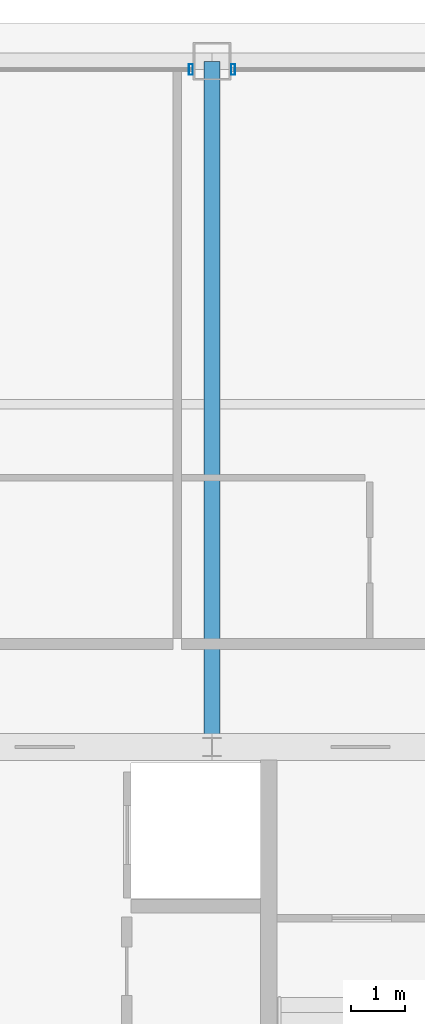
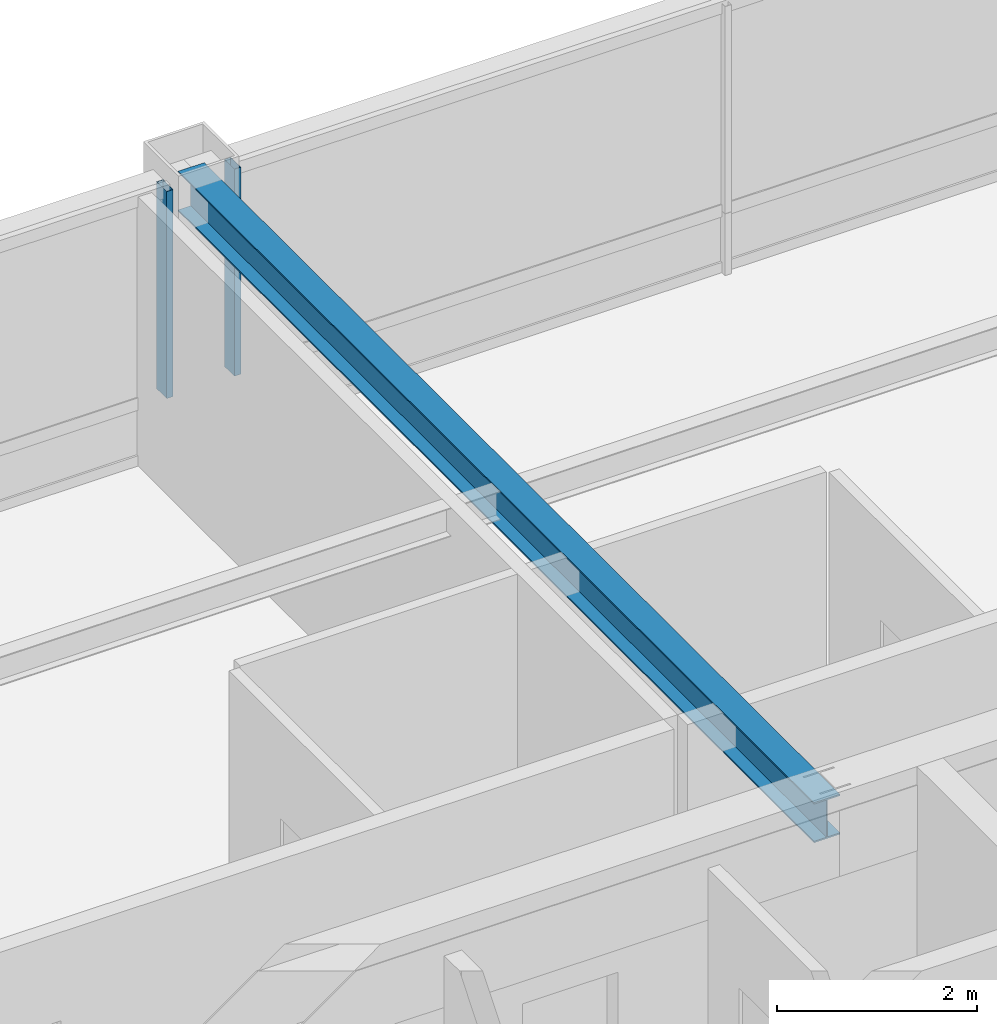
# One storey, part 16 of 33: 2 members, 1 beam, 2 elements without a shape of their own.
"""IFC4 building model written with IfcOpenShell, lengths in metres."""

import ifcopenshell
import ifcopenshell.guid

model = None  # the IFC model being written
_history = None  # IfcOwnerHistory: only IFC2X3 demands one
_inside = {}  # id of a spatial element -> (the spatial element, [elements in it])
_under = {}  # id of a project, library or spatial element -> (it, [spatial elements below it])
_declared = {}  # id of a project -> (the project, [libraries it declares])
_typed = {}  # id of a type object -> (the type object, [elements of that type])
_made_of = {}  # id of a material, layer set ... -> (it, [elements and type objects made of it])


def new_model(schema):
    """Start an empty IFC model of exactly this schema.

    Asked for "IFC4X3", IfcOpenShell would pick the latest addendum, in which some entities
    have other attributes; the version numbers below select the first issue.
    IFC2X3 requires an IfcOwnerHistory on every rooted entity: one is made here for all.
    """
    global model, _history
    if schema == "IFC4X3":
        model = ifcopenshell.file(schema_version=(4, 3, 0, 0))
    else:
        model = ifcopenshell.file(schema=schema)
    _inside.clear()
    _under.clear()
    _declared.clear()
    _typed.clear()
    _made_of.clear()
    _history = None
    if model.schema == "IFC2X3":
        org = make("IfcOrganization", Name="unknown")
        user = make(
            "IfcPersonAndOrganization",
            ThePerson=make("IfcPerson", FamilyName="unknown"),
            TheOrganization=org,
        )
        app = make(
            "IfcApplication",
            ApplicationDeveloper=org,
            Version="unknown",
            ApplicationFullName="unknown",
            ApplicationIdentifier="unknown",
        )
        _history = make(
            "IfcOwnerHistory",
            OwningUser=user,
            OwningApplication=app,
            ChangeAction="ADDED",
            CreationDate=0,
        )
    return model


def make(cls, **values):
    """One entity of the class cls with the attributes given. An attribute that is None is left unset."""
    return model.create_entity(
        cls, **{name: value for name, value in values.items() if value is not None}
    )


def rooted(cls, **values):
    """An entity with a GlobalId (a new one), such as an element, a storey or a relation."""
    return make(cls, GlobalId=ifcopenshell.guid.new(), OwnerHistory=_history, **values)


def si_unit(unit_type, name, prefix=None):
    """IfcSIUnit, for example si_unit("LENGTHUNIT", "METRE", prefix="MILLI")."""
    return make("IfcSIUnit", UnitType=unit_type, Prefix=prefix, Name=name)


def assignment(units):
    """IfcUnitAssignment: the units of a project."""
    return None if units is None else make("IfcUnitAssignment", Units=units)


def point(xyz):
    """IfcCartesianPoint."""
    return None if xyz is None else make("IfcCartesianPoint", Coordinates=xyz)


def direction(xyz):
    """IfcDirection."""
    return None if xyz is None else make("IfcDirection", DirectionRatios=xyz)


def frame(location, z_axis=None, x_axis=None):
    """IfcAxis2Placement3D, a coordinate frame: its origin and axes. An axis left out is left unset."""
    return make(
        "IfcAxis2Placement3D",
        Location=point(location),
        Axis=direction(z_axis),
        RefDirection=direction(x_axis),
    )


def frame_2d(location, x_axis=None):
    """IfcAxis2Placement2D, a coordinate frame in the plane: its origin and x axis."""
    return make(
        "IfcAxis2Placement2D", Location=point(location), RefDirection=direction(x_axis)
    )


def origin():
    """The frame at (0, 0, 0) with its axes left unset."""
    return frame((0.0, 0.0, 0.0))


def origin_2d():
    """The frame at (0, 0) in the plane with its x axis left unset."""
    return frame_2d((0.0, 0.0))


def place(relative_to, where):
    """IfcLocalPlacement: puts the frame where relative to a parent placement (None: the world)."""
    return make(
        "IfcLocalPlacement", PlacementRelTo=relative_to, RelativePlacement=where
    )


def context(
    kind, dimensions, precision=None, world=None, true_north=None, identifier=None
):
    """IfcGeometricRepresentationContext, for example the 3D "Model" context."""
    return make(
        "IfcGeometricRepresentationContext",
        ContextIdentifier=identifier,
        ContextType=kind,
        CoordinateSpaceDimension=dimensions,
        Precision=precision,
        WorldCoordinateSystem=world,
        TrueNorth=true_north,
    )


def subcontext(parent, identifier, kind, view, scale=None):
    """IfcGeometricRepresentationSubContext, for example "Body" below "Model"."""
    return make(
        "IfcGeometricRepresentationSubContext",
        ContextIdentifier=identifier,
        ContextType=kind,
        ParentContext=parent,
        TargetScale=scale,
        TargetView=view,
    )


def project(units=None, contexts=None):
    """IfcProject with its units and contexts."""
    return rooted(
        "IfcProject",
        Name="project",
        RepresentationContexts=contexts,
        UnitsInContext=assignment(units),
    )


def spatial(cls, under=None, at=None, **own):
    """A site, building, storey or space (cls), placed at a placement, below another one or the project."""
    s = rooted(cls, ObjectPlacement=at, **own)
    if under is not None:
        _under.setdefault(under.id(), (under, []))[1].append(s)
    return s


def profile(cls, at=None, kind="AREA", **sizes):
    """A parametric profile (cls). Its sizes go by their IFC names, for example OverallWidth=200.0."""
    return make(cls, ProfileType=kind, Position=at, **sizes)


def hollow_rectangle(**sizes):
    """IfcRectangleHollowProfileDef."""
    return profile("IfcRectangleHollowProfileDef", **sizes)


def i_section(**sizes):
    """IfcIShapeProfileDef."""
    return profile("IfcIShapeProfileDef", **sizes)


def extrude(swept, where, along, depth):
    """IfcExtrudedAreaSolid: the profile swept, set in the frame where, extruded along a direction by depth."""
    return make(
        "IfcExtrudedAreaSolid",
        SweptArea=swept,
        Position=where,
        ExtrudedDirection=direction(along),
        Depth=depth,
    )


def shape(context_of_items, identifier, shape_type, items):
    """IfcShapeRepresentation: the items that make up one representation, for example the "Body"."""
    return make(
        "IfcShapeRepresentation",
        ContextOfItems=context_of_items,
        RepresentationIdentifier=identifier,
        RepresentationType=shape_type,
        Items=items,
    )


def source(mapping_origin, context_of_items, identifier, shape_type, items):
    """IfcRepresentationMap: a shape defined once, which mapped items show again and again."""
    return make(
        "IfcRepresentationMap",
        MappingOrigin=mapping_origin,
        MappedRepresentation=shape(context_of_items, identifier, shape_type, items),
    )


def transform(
    local_origin,
    x_axis=None,
    y_axis=None,
    z_axis=None,
    scale=None,
    scale2=None,
    scale3=None,
    uniform=True,
):
    """IfcCartesianTransformationOperator3D, or its non-uniform kind. x_axis, y_axis, z_axis: its Axis1, 2, 3."""
    if uniform:
        return make(
            "IfcCartesianTransformationOperator3D",
            Axis1=direction(x_axis),
            Axis2=direction(y_axis),
            LocalOrigin=point(local_origin),
            Scale=scale,
            Axis3=direction(z_axis),
        )
    return make(
        "IfcCartesianTransformationOperator3DnonUniform",
        Axis1=direction(x_axis),
        Axis2=direction(y_axis),
        LocalOrigin=point(local_origin),
        Scale=scale,
        Axis3=direction(z_axis),
        Scale2=scale2,
        Scale3=scale3,
    )


def mapped(mapping_source, mapping_target):
    """IfcMappedItem: shows the shape of a source again, moved by a transform."""
    return make(
        "IfcMappedItem", MappingSource=mapping_source, MappingTarget=mapping_target
    )


def material(Name=None, Category=None):
    """IfcMaterial."""
    return make("IfcMaterial", Name=Name, Category=Category)


def layer(
    of_material, thickness, ventilated=None, Name=None, Category=None, Priority=None
):
    """IfcMaterialLayer: one layer of a wall or slab, of a material (None: an air gap)."""
    return make(
        "IfcMaterialLayer",
        Material=of_material,
        LayerThickness=thickness,
        IsVentilated=ventilated,
        Name=Name,
        Category=Category,
        Priority=Priority,
    )


def layer_set(layers, Name=None):
    """IfcMaterialLayerSet."""
    return make("IfcMaterialLayerSet", MaterialLayers=layers, LayerSetName=Name)


def material_profile(
    of_material, cross_section, Name=None, Category=None, Priority=None
):
    """IfcMaterialProfile: a cross section and its material."""
    return make(
        "IfcMaterialProfile",
        Name=Name,
        Material=of_material,
        Profile=cross_section,
        Priority=Priority,
        Category=Category,
    )


def profile_set(profiles, Name=None, composite=None):
    """IfcMaterialProfileSet."""
    return make(
        "IfcMaterialProfileSet",
        Name=Name,
        MaterialProfiles=profiles,
        CompositeProfile=composite,
    )


def made_of(thing, what):
    """Note that an element or type object is made of a material, layer set ...; save() writes the relation."""
    if what is not None:
        _made_of.setdefault(what.id(), (what, []))[1].append(thing)
    return thing


def type_object(cls, material=None, **own):
    """A type object (cls), such as IfcWallType, which elements share."""
    return made_of(rooted(cls, **own), material)


def element(
    cls,
    number,
    at=None,
    inside=None,
    cuts=None,
    type_object=None,
    material=None,
    context=None,
    identifier="Body",
    shape_type=None,
    held_by="IfcProductDefinitionShape",
    body=None,
    shapes=None,
    **own,
):
    """One element of the class cls, such as IfcWall. Its Tag is "e" and its number.

    at: its placement. inside: the storey or other place that contains it. cuts: it is an
    opening in that element (IfcRelVoidsElement). A single representation is given by context,
    identifier, shape_type and body (its items); several are given by shapes. held_by: the class
    of the entity that holds the representations. save() writes the other relations.
    """
    e = rooted(cls, Tag="e%d" % number, ObjectPlacement=at, **own)
    if body is not None:
        shapes = [shape(context, identifier, shape_type, body)]
    if shapes is not None:
        e.Representation = make(held_by, Representations=shapes)
    if inside is not None:
        _inside.setdefault(inside.id(), (inside, []))[1].append(e)
    if cuts is not None:
        rooted(
            "IfcRelVoidsElement", RelatingBuildingElement=cuts, RelatedOpeningElement=e
        )
    if type_object is not None:
        _typed.setdefault(type_object.id(), (type_object, []))[1].append(e)
    return made_of(e, material)


def aggregate(whole, parts):
    """IfcRelAggregates: a whole, such as a stair, and the parts it consists of."""
    return rooted("IfcRelAggregates", RelatingObject=whole, RelatedObjects=parts)


def save(model, path):
    """Write the relations noted so far, then the file.

    IfcRelAggregates (storeys below a building ...), IfcRelContainedInSpatialStructure (elements
    in a storey), IfcRelDefinesByType, IfcRelAssociatesMaterial and IfcRelDeclares: one each for
    every whole, place, type object, material and project.
    """
    for whole, parts in _under.values():
        aggregate(whole, parts)
    for where, things in _inside.values():
        rooted(
            "IfcRelContainedInSpatialStructure",
            RelatedElements=things,
            RelatingStructure=where,
        )
    for kind, things in _typed.values():
        rooted("IfcRelDefinesByType", RelatedObjects=things, RelatingType=kind)
    for what, things in _made_of.values():
        rooted("IfcRelAssociatesMaterial", RelatedObjects=things, RelatingMaterial=what)
    for by, libraries in _declared.values():
        rooted("IfcRelDeclares", RelatingContext=by, RelatedDefinitions=libraries)
    model.write(path)


model = new_model("IFC4")

# Units and contexts
model_context = context("Model", 3, precision=1e-05, world=origin(), true_north=direction((0.0, 1.0)))
body_context = subcontext(model_context, "Body", "Model", "MODEL_VIEW")
ifc_project = project(units=[si_unit("LENGTHUNIT", "METRE"), si_unit("AREAUNIT", "SQUARE_METRE"), si_unit("VOLUMEUNIT", "CUBIC_METRE"), si_unit("PLANEANGLEUNIT", "RADIAN"), si_unit("MASSUNIT", "GRAM", prefix="KILO"), si_unit("THERMODYNAMICTEMPERATUREUNIT", "KELVIN"), si_unit("POWERUNIT", "WATT")], contexts=[model_context])

# Site, building, storey
site_placement = place(None, origin())
site = spatial("IfcSite", under=ifc_project, at=site_placement, CompositionType="ELEMENT")
building_placement = place(site_placement, origin())
building = spatial("IfcBuilding", under=site, at=building_placement, Name="Yuzanri Waterfront Tower", CompositionType="ELEMENT")
storey_placement = place(building_placement, frame((0.0, 0.0, 321.699951171875)))
storey = spatial("IfcBuildingStorey", under=building, at=storey_placement, Name="L86", CompositionType="ELEMENT", Elevation=321.699951171875)

# Beam
ifc_material_1 = material(Name="Steel Q355B", Category="steel")
ifc_material_profile_1 = material_profile(ifc_material_1, i_section(OverallWidth=0.300048828125, OverallDepth=0.488037109375, WebThickness=0.010986328125, FlangeThickness=0.01806640625, at=origin_2d()), Name="HM 488x300x11x18")
ifc_profile_set_1 = profile_set([ifc_material_profile_1], Name="Steel Q355B")
beam_type = type_object("IfcBeamType", Name="Primary Floor Girder Q355B HM 488x300", PredefinedType="BEAM", material=ifc_profile_set_1)
shared_shape_1 = source(origin(), body_context, "Body", "SweptSolid", [
    extrude(i_section(OverallWidth=0.300048828125, OverallDepth=0.488037109375, WebThickness=0.010986328125, FlangeThickness=0.01806640625, at=origin_2d()), origin(), (0.0, 0.0, 1.0), 12.699951171875),
])
beam_placement = place(storey_placement, frame((37.0, 32.199951171875, 3.0361328125), z_axis=(0.0, 1.0, 0.0), x_axis=(-1.0, 0.0, 0.0)))
element("IfcBeam", 1, at=beam_placement, inside=storey, type_object=beam_type, Name="L86 North Grid Girder", PredefinedType="BEAM", context=body_context, shape_type="MappedRepresentation", body=[
    mapped(shared_shape_1, transform((0.0, 0.0, 0.0), scale=1.0)),
])

# Curtain wall, member
ifc_material_2 = material(Name="Anodized Architectural Bronze", Category="metal")
ifc_layer = layer(ifc_material_2, 0.159912109375)
ifc_layer_set = layer_set([ifc_layer], Name="Anodized Architectural Bronze")
curtain_wall_type = type_object("IfcCurtainWallType", Name="Anodized Bronze High-Rise Penthouse High-Wind Unitized Curtain Wall 6900", PredefinedType="NOTDEFINED", material=ifc_layer_set)
curtain_wall_1_placement = place(storey_placement, origin())
curtain_wall_1 = element("IfcCurtainWall", 2, at=curtain_wall_1_placement, inside=storey, type_object=curtain_wall_type, Name="L86 Curtain Wall CW-L86-NL", PredefinedType="NOTDEFINED")
ifc_material_3 = material(Name="Anodized Architectural Bronze", Category="metal")
ifc_material_profile_2 = material_profile(ifc_material_3, hollow_rectangle(XDim=0.074951171875, YDim=0.199951171875, WallThickness=0.00390625, at=origin_2d()), Name="CWM 75x200")
ifc_profile_set_2 = profile_set([ifc_material_profile_2], Name="Anodized Architectural Bronze")
member_type = type_object("IfcMemberType", Name="Anodized Bronze Primary Curtain-Wall Mullion 75x200", PredefinedType="MULLION", material=ifc_profile_set_2)
shared_shape_2 = source(origin(), body_context, "Body", "SweptSolid", [
    extrude(hollow_rectangle(XDim=0.074951171875, YDim=0.199951171875, WallThickness=0.00390625, at=origin_2d()), origin(), (0.0, 0.0, 1.0), 2.52392578125),
])
member_1_placement = place(storey_placement, frame((36.610107421875, 44.75, 0.756103515625), z_axis=(0.0, 0.0, 1.0), x_axis=(1.0, 0.0, 0.0)))
member_1 = element("IfcMember", 3, at=member_1_placement, type_object=member_type, Name="CW-L86-NL Upper Mullion 02", PredefinedType="MULLION", context=body_context, shape_type="MappedRepresentation", body=[
    mapped(shared_shape_2, transform((0.0, 0.0, 0.0), scale=1.0)),
])
aggregate(curtain_wall_1, [member_1])

curtain_wall_2_placement = place(storey_placement, origin())
curtain_wall_2 = element("IfcCurtainWall", 4, at=curtain_wall_2_placement, inside=storey, type_object=curtain_wall_type, Name="L86 Curtain Wall CW-L86-NR", PredefinedType="NOTDEFINED")
member_2_placement = place(storey_placement, frame((37.389892578125, 44.75, 0.756103515625), z_axis=(0.0, 0.0, 1.0), x_axis=(1.0, 0.0, 0.0)))
member_2 = element("IfcMember", 5, at=member_2_placement, type_object=member_type, Name="CW-L86-NR Upper Mullion 00", PredefinedType="MULLION", context=body_context, shape_type="MappedRepresentation", body=[
    mapped(shared_shape_2, transform((0.0, 0.0, 0.0), scale=1.0)),
])
aggregate(curtain_wall_2, [member_2])

save(model, "model.ifc")
